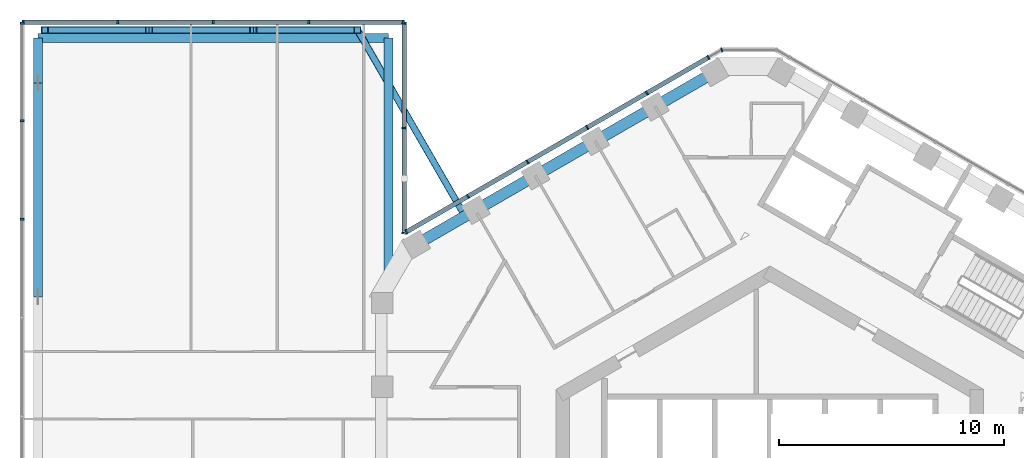
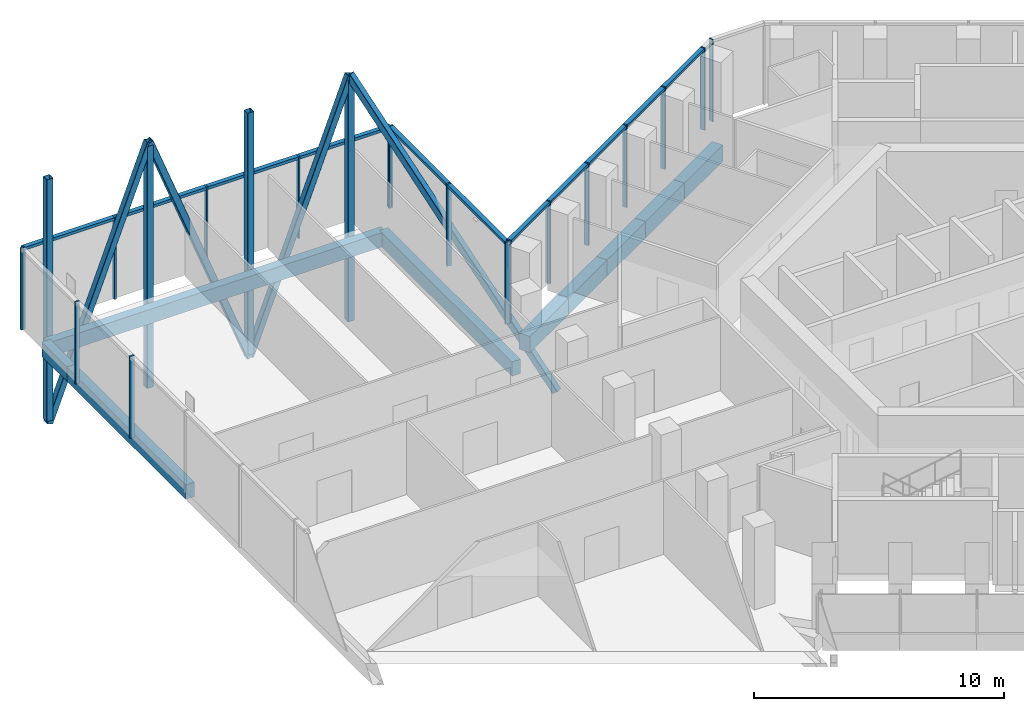
# One storey, part 5 of 21: 29 members, 9 beams, 5 elements without a shape of their own.
"""IFC4 building model written with IfcOpenShell, lengths in metres."""

from ifc_helpers import new_model, si_unit, direction, frame, origin, origin_2d, place, context, subcontext, project, spatial, rectangle, hollow_rectangle, extrude, material, layer, layer_set, material_profile, profile_set, type_object, element, aggregate, save


model = new_model("IFC4")

# Units and contexts
model_context = context("Model", 3, precision=1e-05, world=origin(), true_north=direction((0.0, 1.0)))
body_context = subcontext(model_context, "Body", "Model", "MODEL_VIEW")
ifc_project = project(units=[si_unit("LENGTHUNIT", "METRE"), si_unit("AREAUNIT", "SQUARE_METRE"), si_unit("VOLUMEUNIT", "CUBIC_METRE"), si_unit("PLANEANGLEUNIT", "RADIAN"), si_unit("MASSUNIT", "GRAM", prefix="KILO")], contexts=[model_context])

# Site, building, storey
site_placement = place(None, origin())
site = spatial("IfcSite", under=ifc_project, at=site_placement, CompositionType="ELEMENT")
building_placement = place(site_placement, origin())
building = spatial("IfcBuilding", under=site, at=building_placement, Name="Ayvan Gate Tower", CompositionType="ELEMENT")
storey_placement = place(building_placement, frame((0.0, 0.0, 206.10009765625)))
storey = spatial("IfcBuildingStorey", under=building, at=storey_placement, Name="L55", CompositionType="ELEMENT", Elevation=206.10009765625)

# Beams
ifc_material_1 = material(Name="Concrete C40/50", Category="concrete")
ifc_material_profile_1 = material_profile(ifc_material_1, rectangle(XDim=0.39990234375, YDim=0.699951171875, at=origin_2d()), Name="RC 400x700")
ifc_profile_set_1 = profile_set([ifc_material_profile_1], Name="Concrete C40/50")
beam_type_1 = type_object("IfcBeamType", Name="Sky bar edge beam RC 400x700 C40/50", PredefinedType="BEAM", material=ifc_profile_set_1)
beam_1_placement = place(storey_placement, frame((-32.524169921875, 9.599853515625, -0.75), z_axis=(0.0, 1.0, 0.0), x_axis=(-1.0, 0.0, 0.0)))
element("IfcBeam", 1, at=beam_1_placement, inside=storey, type_object=beam_type_1, Name="EB-B5-L55-6", PredefinedType="BEAM", context=body_context, shape_type="SweptSolid", body=[
    extrude(rectangle(XDim=0.39990234375, YDim=0.699951171875, at=origin_2d()), origin(), (0.0, 0.0, 1.0), 9.5),
])
beam_2_placement = place(storey_placement, frame((-32.524169921875, 19.099853515625, -0.75), z_axis=(0.0, 1.0, 0.0), x_axis=(-1.0, 0.0, 0.0)))
element("IfcBeam", 2, at=beam_2_placement, inside=storey, type_object=beam_type_1, Name="EB-B5-L55-7", PredefinedType="BEAM", context=body_context, shape_type="SweptSolid", body=[
    extrude(rectangle(XDim=0.39990234375, YDim=0.699951171875, at=origin_2d()), origin(), (0.0, 0.0, 1.0), 2.0),
])
beam_3_placement = place(storey_placement, frame((-32.524169921875, 21.099853515625, -0.75), z_axis=(1.0, 0.0, 0.0), x_axis=(0.0, 1.0, 0.0)))
element("IfcBeam", 3, at=beam_3_placement, inside=storey, type_object=beam_type_1, Name="EB-B5-L55-8", PredefinedType="BEAM", context=body_context, shape_type="SweptSolid", body=[
    extrude(rectangle(XDim=0.39990234375, YDim=0.699951171875, at=origin_2d()), origin(), (0.0, 0.0, 1.0), 15.56982421875),
])
beam_4_placement = place(storey_placement, frame((-16.954345703125, 21.099853515625, -0.75), z_axis=(0.0, -1.0, 0.0), x_axis=(1.0, 0.0, 0.0)))
element("IfcBeam", 4, at=beam_4_placement, inside=storey, type_object=beam_type_1, Name="EB-B5-L55-9", PredefinedType="BEAM", context=body_context, shape_type="SweptSolid", body=[
    extrude(rectangle(XDim=0.39990234375, YDim=0.699951171875, at=origin_2d()), origin(), (0.0, 0.0, 1.0), 10.596923828125),
])

# Members
ifc_material_2 = material(Name="Steel S460NH", Category="steel")
ifc_material_profile_2 = material_profile(ifc_material_2, hollow_rectangle(XDim=0.300048828125, YDim=0.300048828125, WallThickness=0.01611328125, InnerFilletRadius=0.01611328125, OuterFilletRadius=0.02392578125, at=origin_2d()), Name="RHS 300x300x16")
ifc_profile_set_2 = profile_set([ifc_material_profile_2], Name="Steel S460NH")
member_type_1 = type_object("IfcMemberType", Name="Sky bar truss brace B5 RHS 300x300x16", PredefinedType="BRACE", material=ifc_profile_set_2)
member_1_placement = place(storey_placement, frame((-13.546142578125, 13.17919921875, -4.7001953125), z_axis=(-0.309890845879, 0.536747222605, 0.784773905444), x_axis=(-0.866025618675, -0.499999627798, 0.0)))
element("IfcMember", 5, at=member_1_placement, inside=storey, type_object=member_type_1, Name="SBX5-B-D-1", PredefinedType="BRACE", context=body_context, shape_type="SweptSolid", body=[
    extrude(hollow_rectangle(XDim=0.300048828125, YDim=0.300048828125, WallThickness=0.01611328125, InnerFilletRadius=0.01611328125, OuterFilletRadius=0.02392578125, at=origin_2d()), origin(), (0.0, 0.0, 1.0), 15.41845703125),
])
for number, where, z_axis, x_axis, name in (
    (6, (-18.32421875, 21.455078125, 7.39990234375), (-0.357594822176, 0.0, -0.933876835109), (0.0, -1.0, 0.0), "SBX5-B-D-2"),
    (7, (-22.95751953125, 21.455078125, -4.7001953125), (-0.357594822176, 0.0, 0.933876835109), (0.0, -1.0, 0.0), "SBX5-B-D-3"),
):
    element("IfcMember", number, at=place(storey_placement, frame(where, z_axis=z_axis, x_axis=x_axis)), inside=storey, type_object=member_type_1, Name=name, PredefinedType="BRACE", context=body_context, shape_type="SweptSolid", body=[
        extrude(hollow_rectangle(XDim=0.300048828125, YDim=0.300048828125, WallThickness=0.01611328125, InnerFilletRadius=0.01611328125, OuterFilletRadius=0.02392578125, at=origin_2d()), origin(), (0.0, 0.0, 1.0), 12.956787109375),
    ])
member_2_placement = place(storey_placement, frame((-27.5908203125, 21.455078125, 7.39990234375), z_axis=(-0.357611255128, 0.0, -0.93387054253), x_axis=(0.0, -1.0, 0.0)))
element("IfcMember", 8, at=member_2_placement, inside=storey, type_object=member_type_1, Name="SBX5-B-D-4", PredefinedType="BRACE", context=body_context, shape_type="SweptSolid", body=[
    extrude(hollow_rectangle(XDim=0.300048828125, YDim=0.300048828125, WallThickness=0.01611328125, InnerFilletRadius=0.01611328125, OuterFilletRadius=0.02392578125, at=origin_2d()), origin(), (0.0, 0.0, 1.0), 12.95703125),
])
ifc_material_profile_3 = material_profile(ifc_material_2, hollow_rectangle(XDim=0.300048828125, YDim=0.300048828125, WallThickness=0.012451171875, InnerFilletRadius=0.012451171875, OuterFilletRadius=0.018798828125, at=origin_2d()), Name="RHS 300x300x12.5")
ifc_profile_set_3 = profile_set([ifc_material_profile_3], Name="Steel S460NH")
member_type_2 = type_object("IfcMemberType", Name="Sky bar truss post B5 RHS 300x300x12.5", PredefinedType="POST", material=ifc_profile_set_3)
for number, where, z_axis, x_axis, name in (
    (9, (-18.32421875, 21.455078125, -4.550048828125), (0.0, 0.0, 1.0), (1.0, 0.0, 0.0), "SBX5-B-P-1"),
    (10, (-22.95751953125, 21.455078125, -4.550048828125), (0.0, 0.0, 1.0), (1.0, 0.0, 0.0), "SBX5-B-P-2"),
    (11, (-27.5908203125, 21.455078125, -4.550048828125), (0.0, 0.0, 1.0), (1.0, 0.0, 0.0), "SBX5-B-P-3"),
    (12, (-32.224365234375, 21.455078125, -4.550048828125), (0.0, 0.0, 1.0), (1.0, 0.0, 0.0), "SBX5-B-P-4"),
):
    element("IfcMember", number, at=place(storey_placement, frame(where, z_axis=z_axis, x_axis=x_axis)), inside=storey, type_object=member_type_2, Name=name, PredefinedType="POST", context=body_context, shape_type="SweptSolid", body=[
        extrude(hollow_rectangle(XDim=0.300048828125, YDim=0.300048828125, WallThickness=0.012451171875, InnerFilletRadius=0.012451171875, OuterFilletRadius=0.018798828125, at=origin_2d()), origin(), (0.0, 0.0, 1.0), 11.800048828125),
    ])

# Beams
ifc_material_profile_4 = material_profile(ifc_material_1, rectangle(XDim=0.5, YDim=0.800048828125, at=origin_2d()), Name="RC 500x800")
ifc_profile_set_4 = profile_set([ifc_material_profile_4], Name="Concrete C40/50")
beam_type_2 = type_object("IfcBeamType", Name="Spandrel beam RC 500x800 C40/50", PredefinedType="BEAM", material=ifc_profile_set_4)
beam_5_placement = place(storey_placement, frame((-2.418212890625, 19.60400390625, -0.800048828125), z_axis=(-0.865987770738, -0.500065176684, 0.0), x_axis=(0.500065176684, -0.865987770738, 0.0)))
element("IfcBeam", 13, at=beam_5_placement, inside=storey, type_object=beam_type_2, Name="SB-L55-13", PredefinedType="BEAM", context=body_context, shape_type="SweptSolid", body=[
    extrude(rectangle(XDim=0.5, YDim=0.800048828125, at=origin_2d()), origin(), (0.0, 0.0, 1.0), 3.0830078125),
])
beam_6_placement = place(storey_placement, frame((-5.088134765625, 18.062255859375, -0.800048828125), z_axis=(-0.866041857893, -0.499971499565, 0.0), x_axis=(0.499971499565, -0.866041857893, 0.0)))
element("IfcBeam", 14, at=beam_6_placement, inside=storey, type_object=beam_type_2, Name="SB-L55-14", PredefinedType="BEAM", context=body_context, shape_type="SweptSolid", body=[
    extrude(rectangle(XDim=0.5, YDim=0.800048828125, at=origin_2d()), origin(), (0.0, 0.0, 1.0), 3.083251953125),
])
beam_7_placement = place(storey_placement, frame((-7.75830078125, 16.520751953125, -0.800048828125), z_axis=(-0.866022061966, -0.500005788154, 0.0), x_axis=(0.500005788154, -0.866022061966, 0.0)))
element("IfcBeam", 15, at=beam_7_placement, inside=storey, type_object=beam_type_2, Name="SB-L55-15", PredefinedType="BEAM", context=body_context, shape_type="SweptSolid", body=[
    extrude(rectangle(XDim=0.5, YDim=0.800048828125, at=origin_2d()), origin(), (0.0, 0.0, 1.0), 3.0830078125),
])
beam_8_placement = place(storey_placement, frame((-10.42822265625, 14.979248046875, -0.800048828125), z_axis=(-0.866041857893, -0.499971499565, 0.0), x_axis=(0.499971499565, -0.866041857893, 0.0)))
element("IfcBeam", 16, at=beam_8_placement, inside=storey, type_object=beam_type_2, Name="SB-L55-16", PredefinedType="BEAM", context=body_context, shape_type="SweptSolid", body=[
    extrude(rectangle(XDim=0.5, YDim=0.800048828125, at=origin_2d()), origin(), (0.0, 0.0, 1.0), 3.083251953125),
])
beam_9_placement = place(storey_placement, frame((-13.098388671875, 13.437744140625, -0.800048828125), z_axis=(-0.865987770738, -0.500065176684, 0.0), x_axis=(0.500065176684, -0.865987770738, 0.0)))
element("IfcBeam", 17, at=beam_9_placement, inside=storey, type_object=beam_type_2, Name="SB-L55-17", PredefinedType="BEAM", context=body_context, shape_type="SweptSolid", body=[
    extrude(rectangle(XDim=0.5, YDim=0.800048828125, at=origin_2d()), origin(), (0.0, 0.0, 1.0), 3.0830078125),
])

# Curtain wall, members
ifc_material_3 = material(Name="Bronze anodised aluminium", Category="aluminium")
ifc_layer_1 = layer(ifc_material_3, 0.199951171875)
ifc_layer_set_1 = layer_set([ifc_layer_1], Name="Bronze anodised aluminium")
curtain_wall_type_1 = type_object("IfcCurtainWallType", Name="Stick curtain wall CW-2", PredefinedType="NOTDEFINED", material=ifc_layer_set_1)
curtain_wall_1_placement = place(storey_placement, origin())
curtain_wall_1 = element("IfcCurtainWall", 18, at=curtain_wall_1_placement, inside=storey, type_object=curtain_wall_type_1, Name="Stick curtain wall CW-2 L55", PredefinedType="NOTDEFINED")
ifc_material_profile_5 = material_profile(ifc_material_3, rectangle(XDim=0.199951171875, YDim=0.070068359375, at=origin_2d()), Name="Stick curtain wall CW-2 mullion 200 x 70")
ifc_profile_set_5 = profile_set([ifc_material_profile_5], Name="Bronze anodised aluminium")
member_type_3 = type_object("IfcMemberType", Name="Stick curtain wall CW-2 mullion 200 x 70", PredefinedType="MULLION", material=ifc_profile_set_5)
member_3_placement = place(storey_placement, frame((-2.732666015625, 20.230712890625, 0.0), z_axis=(0.0, 0.0, 1.0), x_axis=(-0.5, 0.866025403784, 0.0)))
member_3 = element("IfcMember", 19, at=member_3_placement, type_object=member_type_3, Name="CW-2 mullion 1", PredefinedType="MULLION", context=body_context, shape_type="SweptSolid", body=[
    extrude(rectangle(XDim=0.199951171875, YDim=0.070068359375, at=origin_2d()), origin(), (0.0, 0.0, 1.0), 4.0),
])
member_4_placement = place(storey_placement, frame((-5.467529296875, 18.651611328125, 0.0), z_axis=(0.0, 0.0, 1.0), x_axis=(-0.5, 0.866025403784, 0.0)))
member_4 = element("IfcMember", 20, at=member_4_placement, type_object=member_type_3, Name="CW-2 mullion 2", PredefinedType="MULLION", context=body_context, shape_type="SweptSolid", body=[
    extrude(rectangle(XDim=0.199951171875, YDim=0.070068359375, at=origin_2d()), origin(), (0.0, 0.0, 1.0), 4.0),
])
member_5_placement = place(storey_placement, frame((-8.118408203125, 17.12109375, 0.0), z_axis=(0.0, 0.0, 1.0), x_axis=(-0.5, 0.866025403784, 0.0)))
member_5 = element("IfcMember", 21, at=member_5_placement, type_object=member_type_3, Name="CW-2 mullion 3", PredefinedType="MULLION", context=body_context, shape_type="SweptSolid", body=[
    extrude(rectangle(XDim=0.199951171875, YDim=0.070068359375, at=origin_2d()), origin(), (0.0, 0.0, 1.0), 4.0),
])
member_6_placement = place(storey_placement, frame((-10.7685546875, 15.591064453125, 0.0), z_axis=(0.0, 0.0, 1.0), x_axis=(-0.5, 0.866025403784, 0.0)))
member_6 = element("IfcMember", 22, at=member_6_placement, type_object=member_type_3, Name="CW-2 mullion 4", PredefinedType="MULLION", context=body_context, shape_type="SweptSolid", body=[
    extrude(rectangle(XDim=0.199951171875, YDim=0.070068359375, at=origin_2d()), origin(), (0.0, 0.0, 1.0), 4.0),
])
member_7_placement = place(storey_placement, frame((-13.41943359375, 14.060546875, 0.0), z_axis=(0.0, 0.0, 1.0), x_axis=(-0.5, 0.866025403784, 0.0)))
member_7 = element("IfcMember", 23, at=member_7_placement, type_object=member_type_3, Name="CW-2 mullion 5", PredefinedType="MULLION", context=body_context, shape_type="SweptSolid", body=[
    extrude(rectangle(XDim=0.199951171875, YDim=0.070068359375, at=origin_2d()), origin(), (0.0, 0.0, 1.0), 4.0),
])
member_8_placement = place(storey_placement, frame((-16.154052734375, 12.48193359375, 0.0), z_axis=(0.0, 0.0, 1.0), x_axis=(-0.5, 0.866025403784, 0.0)))
member_8 = element("IfcMember", 24, at=member_8_placement, type_object=member_type_3, Name="CW-2 mullion 6", PredefinedType="MULLION", context=body_context, shape_type="SweptSolid", body=[
    extrude(rectangle(XDim=0.199951171875, YDim=0.070068359375, at=origin_2d()), origin(), (0.0, 0.0, 1.0), 4.0),
])
ifc_material_profile_6 = material_profile(ifc_material_3, rectangle(XDim=0.199951171875, YDim=0.1201171875, at=origin_2d()), Name="Stick curtain wall CW-2 transom 200 x 120")
ifc_profile_set_6 = profile_set([ifc_material_profile_6], Name="Bronze anodised aluminium")
member_type_4 = type_object("IfcMemberType", Name="Stick curtain wall CW-2 transom 200 x 120", PredefinedType="USERDEFINED", material=ifc_profile_set_6)
member_9_placement = place(storey_placement, frame((-2.732666015625, 20.230712890625, 3.93994140625), z_axis=(-0.866027134363, -0.499997002538, 0.0), x_axis=(0.499997002538, -0.866027134363, 0.0)))
member_9 = element("IfcMember", 25, at=member_9_placement, type_object=member_type_4, Name="CW-2 transom 1", ObjectType="TRANSOM", PredefinedType="USERDEFINED", context=body_context, shape_type="SweptSolid", body=[
    extrude(rectangle(XDim=0.199951171875, YDim=0.1201171875, at=origin_2d()), origin(), (0.0, 0.0, 1.0), 15.49755859375),
])
aggregate(curtain_wall_1, [member_3, member_4, member_5, member_6, member_7, member_8, member_9])

ifc_layer_2 = layer(ifc_material_3, 0.199951171875)
ifc_layer_set_2 = layer_set([ifc_layer_2], Name="Bronze anodised aluminium")
curtain_wall_type_2 = type_object("IfcCurtainWallType", Name="Stick curtain wall CW-4", PredefinedType="NOTDEFINED", material=ifc_layer_set_2)
curtain_wall_2_placement = place(storey_placement, origin())
curtain_wall_2 = element("IfcCurtainWall", 26, at=curtain_wall_2_placement, inside=storey, type_object=curtain_wall_type_2, Name="Stick curtain wall CW-4 L55", PredefinedType="NOTDEFINED")
ifc_material_profile_7 = material_profile(ifc_material_3, rectangle(XDim=0.199951171875, YDim=0.080078125, at=origin_2d()), Name="Stick curtain wall CW-4 mullion 200 x 80")
ifc_profile_set_7 = profile_set([ifc_material_profile_7], Name="Bronze anodised aluminium")
member_type_5 = type_object("IfcMemberType", Name="Stick curtain wall CW-4 mullion 200 x 80", PredefinedType="MULLION", material=ifc_profile_set_7)
member_10_placement = place(storey_placement, frame((-16.25439453125, 12.43408203125, 0.0), z_axis=(0.0, 0.0, 1.0), x_axis=(1.0, 0.0, 0.0)))
member_10 = element("IfcMember", 27, at=member_10_placement, type_object=member_type_5, Name="CW-4 mullion 1", PredefinedType="MULLION", context=body_context, shape_type="SweptSolid", body=[
    extrude(rectangle(XDim=0.199951171875, YDim=0.080078125, at=origin_2d()), origin(), (0.0, 0.0, 1.0), 4.0),
])
member_11_placement = place(storey_placement, frame((-16.25439453125, 17.09716796875, 0.0), z_axis=(0.0, 0.0, 1.0), x_axis=(1.0, 0.0, 0.0)))
member_11 = element("IfcMember", 28, at=member_11_placement, type_object=member_type_5, Name="CW-4 mullion 2", PredefinedType="MULLION", context=body_context, shape_type="SweptSolid", body=[
    extrude(rectangle(XDim=0.199951171875, YDim=0.080078125, at=origin_2d()), origin(), (0.0, 0.0, 1.0), 4.0),
])
member_12_placement = place(storey_placement, frame((-16.25439453125, 21.760009765625, 0.0), z_axis=(0.0, 0.0, 1.0), x_axis=(1.0, 0.0, 0.0)))
member_12 = element("IfcMember", 29, at=member_12_placement, type_object=member_type_5, Name="CW-4 mullion 3", PredefinedType="MULLION", context=body_context, shape_type="SweptSolid", body=[
    extrude(rectangle(XDim=0.199951171875, YDim=0.080078125, at=origin_2d()), origin(), (0.0, 0.0, 1.0), 4.0),
])

curtain_wall_3_placement = place(storey_placement, origin())
curtain_wall_3 = element("IfcCurtainWall", 30, at=curtain_wall_3_placement, inside=storey, type_object=curtain_wall_type_2, Name="Stick curtain wall CW-4 L55", PredefinedType="NOTDEFINED")
member_13_placement = place(storey_placement, frame((-16.29443359375, 21.800048828125, 0.0), z_axis=(0.0, 0.0, 1.0), x_axis=(0.0, 1.0, 0.0)))
member_13 = element("IfcMember", 31, at=member_13_placement, type_object=member_type_5, Name="CW-4 mullion 1", PredefinedType="MULLION", context=body_context, shape_type="SweptSolid", body=[
    extrude(rectangle(XDim=0.199951171875, YDim=0.080078125, at=origin_2d()), origin(), (0.0, 0.0, 1.0), 4.0),
])
member_14_placement = place(storey_placement, frame((-20.496826171875, 21.800048828125, 0.0), z_axis=(0.0, 0.0, 1.0), x_axis=(0.0, 1.0, 0.0)))
member_14 = element("IfcMember", 32, at=member_14_placement, type_object=member_type_5, Name="CW-4 mullion 2", PredefinedType="MULLION", context=body_context, shape_type="SweptSolid", body=[
    extrude(rectangle(XDim=0.199951171875, YDim=0.080078125, at=origin_2d()), origin(), (0.0, 0.0, 1.0), 4.0),
])
member_15_placement = place(storey_placement, frame((-24.7392578125, 21.800048828125, 0.0), z_axis=(0.0, 0.0, 1.0), x_axis=(0.0, 1.0, 0.0)))
member_15 = element("IfcMember", 33, at=member_15_placement, type_object=member_type_5, Name="CW-4 mullion 3", PredefinedType="MULLION", context=body_context, shape_type="SweptSolid", body=[
    extrude(rectangle(XDim=0.199951171875, YDim=0.080078125, at=origin_2d()), origin(), (0.0, 0.0, 1.0), 4.0),
])
member_16_placement = place(storey_placement, frame((-28.981689453125, 21.800048828125, 0.0), z_axis=(0.0, 0.0, 1.0), x_axis=(0.0, 1.0, 0.0)))
member_16 = element("IfcMember", 34, at=member_16_placement, type_object=member_type_5, Name="CW-4 mullion 4", PredefinedType="MULLION", context=body_context, shape_type="SweptSolid", body=[
    extrude(rectangle(XDim=0.199951171875, YDim=0.080078125, at=origin_2d()), origin(), (0.0, 0.0, 1.0), 4.0),
])
member_17_placement = place(storey_placement, frame((-33.184326171875, 21.800048828125, 0.0), z_axis=(0.0, 0.0, 1.0), x_axis=(0.0, 1.0, 0.0)))
member_17 = element("IfcMember", 35, at=member_17_placement, type_object=member_type_5, Name="CW-4 mullion 5", PredefinedType="MULLION", context=body_context, shape_type="SweptSolid", body=[
    extrude(rectangle(XDim=0.199951171875, YDim=0.080078125, at=origin_2d()), origin(), (0.0, 0.0, 1.0), 4.0),
])

curtain_wall_4_placement = place(storey_placement, origin())
curtain_wall_4 = element("IfcCurtainWall", 36, at=curtain_wall_4_placement, inside=storey, type_object=curtain_wall_type_2, Name="Stick curtain wall CW-4 L55", PredefinedType="NOTDEFINED")
member_18_placement = place(storey_placement, frame((-33.224365234375, 21.760009765625, 0.0), z_axis=(0.0, 0.0, 1.0), x_axis=(-1.0, 0.0, 0.0)))
member_18 = element("IfcMember", 37, at=member_18_placement, type_object=member_type_5, Name="CW-4 mullion 1", PredefinedType="MULLION", context=body_context, shape_type="SweptSolid", body=[
    extrude(rectangle(XDim=0.199951171875, YDim=0.080078125, at=origin_2d()), origin(), (0.0, 0.0, 1.0), 4.0),
])
member_19_placement = place(storey_placement, frame((-33.224365234375, 17.422119140625, 0.0), z_axis=(0.0, 0.0, 1.0), x_axis=(-1.0, 0.0, 0.0)))
member_19 = element("IfcMember", 38, at=member_19_placement, type_object=member_type_5, Name="CW-4 mullion 2", PredefinedType="MULLION", context=body_context, shape_type="SweptSolid", body=[
    extrude(rectangle(XDim=0.199951171875, YDim=0.080078125, at=origin_2d()), origin(), (0.0, 0.0, 1.0), 4.0),
])
member_20_placement = place(storey_placement, frame((-33.224365234375, 13.04443359375, 0.0), z_axis=(0.0, 0.0, 1.0), x_axis=(-1.0, 0.0, 0.0)))
member_20 = element("IfcMember", 39, at=member_20_placement, type_object=member_type_5, Name="CW-4 mullion 3", PredefinedType="MULLION", context=body_context, shape_type="SweptSolid", body=[
    extrude(rectangle(XDim=0.199951171875, YDim=0.080078125, at=origin_2d()), origin(), (0.0, 0.0, 1.0), 4.0),
])
aggregate(curtain_wall_4, [member_18, member_19, member_20])

# Member
ifc_material_profile_8 = material_profile(ifc_material_3, rectangle(XDim=0.199951171875, YDim=0.139892578125, at=origin_2d()), Name="Stick curtain wall CW-4 transom 200 x 140")
ifc_profile_set_8 = profile_set([ifc_material_profile_8], Name="Bronze anodised aluminium")
member_type_6 = type_object("IfcMemberType", Name="Stick curtain wall CW-4 transom 200 x 140", PredefinedType="USERDEFINED", material=ifc_profile_set_8)
member_21_placement = place(storey_placement, frame((-16.25439453125, 12.43408203125, 3.929931640625), z_axis=(0.0, 1.0, 0.0), x_axis=(-1.0, 0.0, 0.0)))
member_21 = element("IfcMember", 40, at=member_21_placement, type_object=member_type_6, Name="CW-4 transom 1", ObjectType="TRANSOM", PredefinedType="USERDEFINED", context=body_context, shape_type="SweptSolid", body=[
    extrude(rectangle(XDim=0.199951171875, YDim=0.139892578125, at=origin_2d()), origin(), (0.0, 0.0, 1.0), 9.325927734375),
])

aggregate(curtain_wall_2, [member_10, member_11, member_12, member_21])

member_22_placement = place(storey_placement, frame((-16.29443359375, 21.800048828125, 3.929931640625), z_axis=(-1.0, 0.0, 0.0), x_axis=(0.0, -1.0, 0.0)))
member_22 = element("IfcMember", 41, at=member_22_placement, type_object=member_type_6, Name="CW-4 transom 1", ObjectType="TRANSOM", PredefinedType="USERDEFINED", context=body_context, shape_type="SweptSolid", body=[
    extrude(rectangle(XDim=0.199951171875, YDim=0.139892578125, at=origin_2d()), origin(), (0.0, 0.0, 1.0), 16.889892578125),
])

aggregate(curtain_wall_3, [member_13, member_14, member_15, member_16, member_17, member_22])

# Curtain wall, member
ifc_layer_3 = layer(ifc_material_3, 0.199951171875)
ifc_layer_set_3 = layer_set([ifc_layer_3], Name="Bronze anodised aluminium")
curtain_wall_type_3 = type_object("IfcCurtainWallType", Name="Stick curtain wall CW-6", PredefinedType="NOTDEFINED", material=ifc_layer_set_3)
curtain_wall_5_placement = place(storey_placement, origin())
curtain_wall_5 = element("IfcCurtainWall", 42, at=curtain_wall_5_placement, inside=storey, type_object=curtain_wall_type_3, Name="Stick curtain wall CW-6 L55", PredefinedType="NOTDEFINED")
ifc_material_profile_9 = material_profile(ifc_material_3, rectangle(XDim=0.199951171875, YDim=0.050048828125, at=origin_2d()), Name="Stick curtain wall CW-6 mullion 200 x 50")
ifc_profile_set_9 = profile_set([ifc_material_profile_9], Name="Bronze anodised aluminium")
member_type_7 = type_object("IfcMemberType", Name="Stick curtain wall CW-6 mullion 200 x 50", PredefinedType="MULLION", material=ifc_profile_set_9)
member_23_placement = place(storey_placement, frame((-2.139404296875, 20.5732421875, 0.0), z_axis=(0.0, 0.0, 1.0), x_axis=(-0.258819045103, 0.965925826289, 0.0)))
member_23 = element("IfcMember", 43, at=member_23_placement, type_object=member_type_7, Name="CW-6 mullion 3", PredefinedType="MULLION", context=body_context, shape_type="SweptSolid", body=[
    extrude(rectangle(XDim=0.199951171875, YDim=0.050048828125, at=origin_2d()), origin(), (0.0, 0.0, 1.0), 4.0),
])
aggregate(curtain_wall_5, [member_23])

save(model, "model.ifc")
